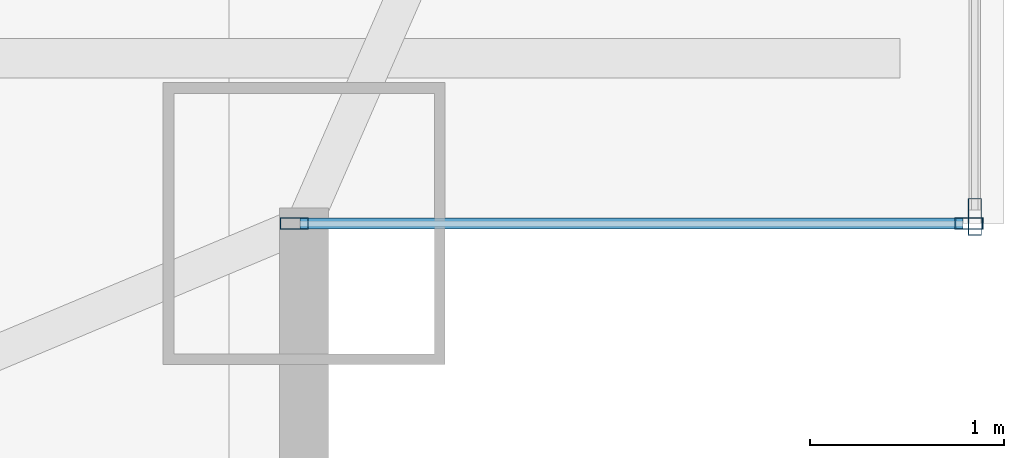
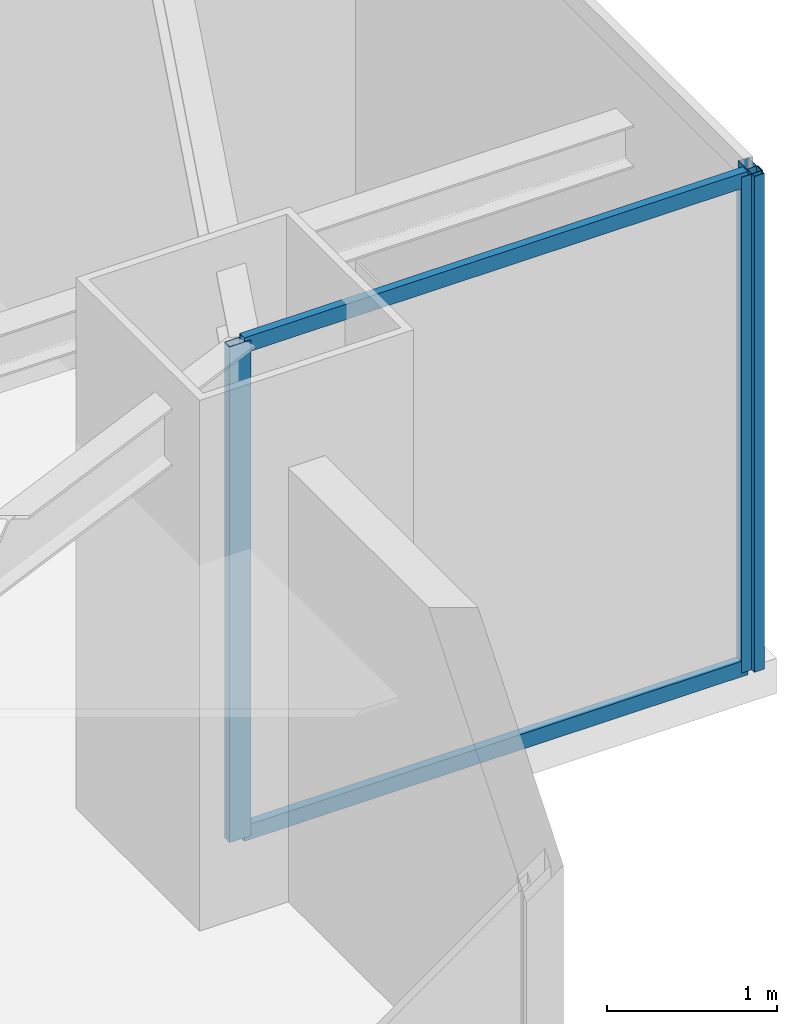
# One storey, part 16 of 37: 5 members, 2 elements without a shape of their own.
"""IFC4 building model written with IfcOpenShell, lengths in metres."""

from ifc_helpers import new_model, si_unit, direction, frame, origin, origin_2d, place, context, subcontext, project, spatial, hollow_rectangle, extrude, source, transform, mapped, material, layer, layer_set, material_profile, profile_set, type_object, type_shapes, element, aggregate, save


model = new_model("IFC4")

# Units and contexts
model_context = context("Model", 3, precision=1e-05, world=origin(), true_north=direction((0.0, 1.0)))
body_context = subcontext(model_context, "Body", "Model", "MODEL_VIEW")
ifc_project = project(units=[si_unit("LENGTHUNIT", "METRE"), si_unit("AREAUNIT", "SQUARE_METRE"), si_unit("VOLUMEUNIT", "CUBIC_METRE"), si_unit("PLANEANGLEUNIT", "RADIAN"), si_unit("MASSUNIT", "GRAM", prefix="KILO")], contexts=[model_context])

# Site, building, storey
site_placement = place(None, origin())
site = spatial("IfcSite", under=ifc_project, at=site_placement, CompositionType="ELEMENT")
building_placement = place(site_placement, origin())
building = spatial("IfcBuilding", under=site, at=building_placement, Name="Varnel Quay Broadcast Tower", CompositionType="ELEMENT")
storey_placement = place(building_placement, frame((0.0, 0.0, 106.800048828125)))
storey = spatial("IfcBuildingStorey", under=building, at=storey_placement, Name="L25", CompositionType="ELEMENT", Elevation=106.800048828125)

# Curtain wall, members
ifc_material = material(Name="Anodised Bronze Aluminium 6063-T6", Category="aluminium")
ifc_layer_1 = layer(ifc_material, 0.18994140625, Name="Anodised Bronze Aluminium 6063-T6")
ifc_layer_set_1 = layer_set([ifc_layer_1], Name="Anodised Bronze Aluminium 6063-T6")
curtain_wall_type_1 = type_object("IfcCurtainWallType", Name="CW_NotchCorner", PredefinedType="NOTDEFINED", material=ifc_layer_set_1)
curtain_wall_1_placement = place(storey_placement, origin())
curtain_wall_1 = element("IfcCurtainWall", 1, at=curtain_wall_1_placement, inside=storey, type_object=curtain_wall_type_1, Name="L25 SE Notch Curtain Wall", PredefinedType="NOTDEFINED")
ifc_material_profile_1 = material_profile(ifc_material, hollow_rectangle(XDim=0.054931640625, YDim=0.110107421875, WallThickness=0.0029296875, at=origin_2d()), Name="ALU55X110X3")
ifc_profile_set_1 = profile_set([ifc_material_profile_1], Name="Anodised Bronze Aluminium 6063-T6")
member_type_1 = type_object("IfcMemberType", Name="Tran_CWS-04", PredefinedType="USERDEFINED", material=ifc_profile_set_1)
shared_shape_1 = source(origin(), body_context, "Body", "SweptSolid", [
    extrude(hollow_rectangle(XDim=0.054931640625, YDim=0.110107421875, WallThickness=0.0029296875, at=origin_2d()), origin(), (0.0, 0.0, 1.0), 3.41015625),
])
type_shapes(member_type_1, [shared_shape_1])
member_1_placement = place(storey_placement, frame((59.8798828125, 7.800048828125, 0.02734375), z_axis=(1.0, 0.0, 0.0), x_axis=(0.0, 1.0, 0.0)))
member_1 = element("IfcMember", 2, at=member_1_placement, type_object=member_type_1, Name="CWS-04 transom 1.1", ObjectType="TRANSOM", PredefinedType="USERDEFINED", context=body_context, shape_type="MappedRepresentation", body=[
    mapped(shared_shape_1, transform((0.0, 0.0, 0.0), x_axis=(1.0, 0.0, 0.0), y_axis=(0.0, 1.0, 0.0), z_axis=(0.0, 0.0, 1.0), scale=1.0)),
])
member_2_placement = place(storey_placement, frame((59.8798828125, 7.800048828125, 3.5224609375), z_axis=(1.0, 0.0, 0.0), x_axis=(0.0, 1.0, 0.0)))
member_2 = element("IfcMember", 3, at=member_2_placement, type_object=member_type_1, Name="CWS-04 transom 1.2", ObjectType="TRANSOM", PredefinedType="USERDEFINED", context=body_context, shape_type="MappedRepresentation", body=[
    mapped(shared_shape_1, transform((0.0, 0.0, 0.0), x_axis=(1.0, 0.0, 0.0), y_axis=(0.0, 1.0, 0.0), z_axis=(0.0, 0.0, 1.0), scale=1.0)),
])

# Curtain wall, member
ifc_layer_2 = layer(ifc_material, 0.18994140625, Name="Anodised Bronze Aluminium 6063-T6")
ifc_layer_set_2 = layer_set([ifc_layer_2], Name="Anodised Bronze Aluminium 6063-T6")
curtain_wall_type_2 = type_object("IfcCurtainWallType", Name="CW_LowerTower", PredefinedType="NOTDEFINED", material=ifc_layer_set_2)
curtain_wall_2_placement = place(storey_placement, origin())
curtain_wall_2 = element("IfcCurtainWall", 4, at=curtain_wall_2_placement, inside=storey, type_object=curtain_wall_type_2, Name="L25 East Unitised Curtain Wall", PredefinedType="NOTDEFINED")
ifc_material_profile_2 = material_profile(ifc_material, hollow_rectangle(XDim=0.070068359375, YDim=0.18994140625, WallThickness=0.00390625, at=origin_2d()), Name="ALU70X190X4")
ifc_profile_set_2 = profile_set([ifc_material_profile_2], Name="Anodised Bronze Aluminium 6063-T6")
member_type_2 = type_object("IfcMemberType", Name="Mull_CWS-02", PredefinedType="MULLION", material=ifc_profile_set_2)
shared_shape_2 = source(origin(), body_context, "Body", "SweptSolid", [
    extrude(hollow_rectangle(XDim=0.070068359375, YDim=0.18994140625, WallThickness=0.00390625, at=origin_2d()), origin(), (0.0, 0.0, 1.0), 3.550048828125),
])
type_shapes(member_type_2, [shared_shape_2])
member_3_placement = place(storey_placement, frame((63.35009765625, 7.8349609375, 0.0), z_axis=(0.0, 0.0, 1.0), x_axis=(-1.0, 0.0, 0.0)))
member_3 = element("IfcMember", 5, at=member_3_placement, type_object=member_type_2, Name="CWS-02 mullion 1", PredefinedType="MULLION", context=body_context, shape_type="MappedRepresentation", body=[
    mapped(shared_shape_2, transform((0.0, 0.0, 0.0), x_axis=(1.0, 0.0, 0.0), y_axis=(0.0, 1.0, 0.0), z_axis=(0.0, 0.0, 1.0), scale=1.0)),
])
aggregate(curtain_wall_2, [member_3])

# Member
ifc_material_profile_3 = material_profile(ifc_material, hollow_rectangle(XDim=0.06005859375, YDim=0.14501953125, WallThickness=0.00341796875, at=origin_2d()), Name="ALU60X145X3.5")
ifc_profile_set_3 = profile_set([ifc_material_profile_3], Name="Anodised Bronze Aluminium 6063-T6")
member_type_3 = type_object("IfcMemberType", Name="Mull_CWS-04", PredefinedType="MULLION", material=ifc_profile_set_3)
shared_shape_3 = source(origin(), body_context, "Body", "SweptSolid", [
    extrude(hollow_rectangle(XDim=0.06005859375, YDim=0.14501953125, WallThickness=0.00341796875, at=origin_2d()), origin(), (0.0, 0.0, 1.0), 3.550048828125),
])
type_shapes(member_type_3, [shared_shape_3])
member_4_placement = place(storey_placement, frame((59.85009765625, 7.800048828125, 0.0), z_axis=(0.0, 0.0, 1.0), x_axis=(0.0, 1.0, 0.0)))
member_4 = element("IfcMember", 6, at=member_4_placement, type_object=member_type_3, Name="CWS-04 mullion 1", PredefinedType="MULLION", context=body_context, shape_type="MappedRepresentation", body=[
    mapped(shared_shape_3, transform((0.0, 0.0, 0.0), x_axis=(1.0, 0.0, 0.0), y_axis=(0.0, 1.0, 0.0), z_axis=(0.0, 0.0, 1.0), scale=1.0)),
])

member_5_placement = place(storey_placement, frame((63.320068359375, 7.800048828125, 0.0), z_axis=(0.0, 0.0, 1.0), x_axis=(0.0, 1.0, 0.0)))
member_5 = element("IfcMember", 7, at=member_5_placement, type_object=member_type_3, Name="CWS-04 mullion 2", PredefinedType="MULLION", context=body_context, shape_type="MappedRepresentation", body=[
    mapped(shared_shape_3, transform((0.0, 0.0, 0.0), x_axis=(1.0, 0.0, 0.0), y_axis=(0.0, 1.0, 0.0), z_axis=(0.0, 0.0, 1.0), scale=1.0)),
])

aggregate(curtain_wall_1, [member_4, member_5, member_1, member_2])

save(model, "model.ifc")
